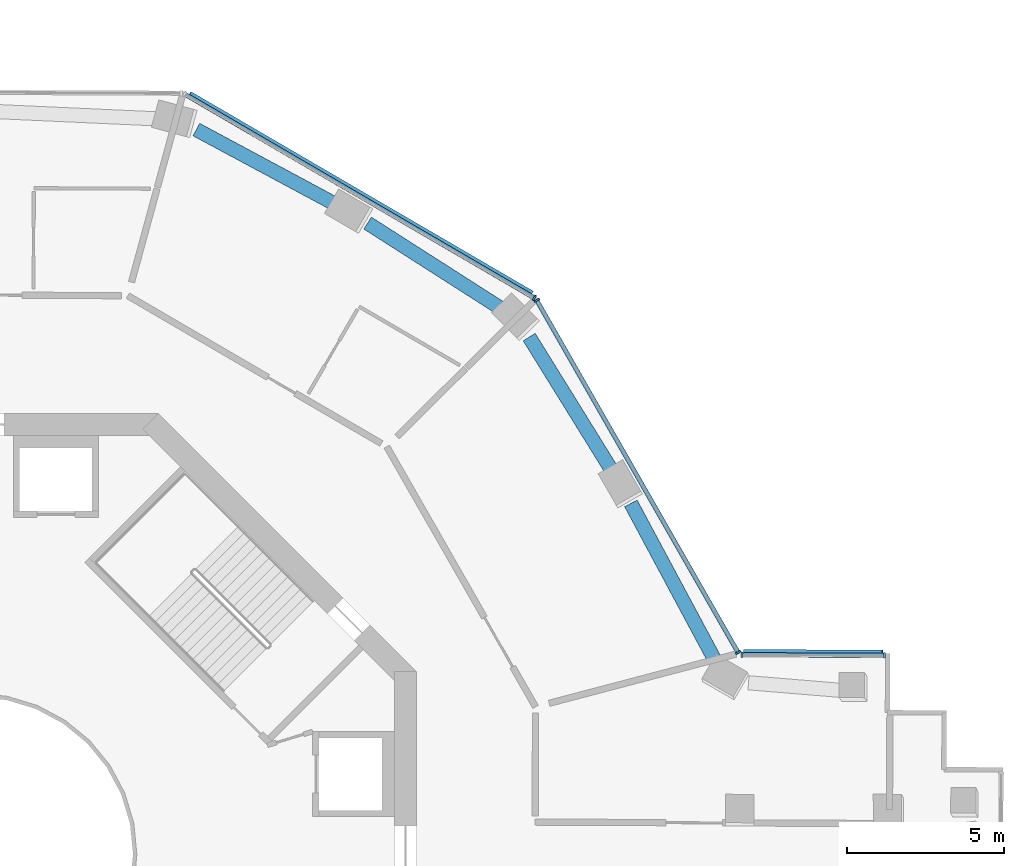
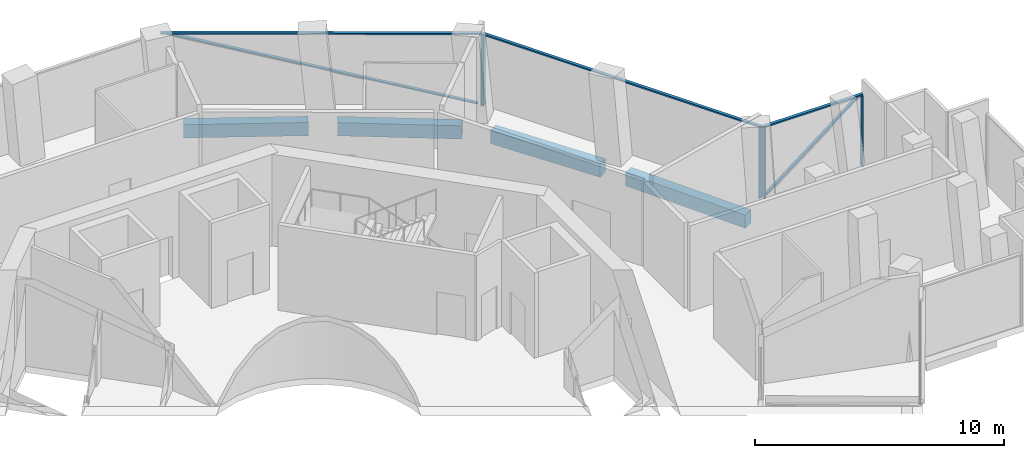
# One storey, part 6 of 16: 10 members, 4 beams, 3 elements without a shape of their own.
"""IFC4 building model written with IfcOpenShell, lengths in metres."""

from ifc_helpers import new_model, si_unit, direction, frame, origin, origin_2d, place, context, subcontext, project, spatial, rectangle, extrude, material, layer, layer_set, material_profile, profile_set, type_object, element, aggregate, save


model = new_model("IFC4")

# Units and contexts
model_context = context("Model", 3, precision=1e-05, world=origin(), true_north=direction((0.0, 1.0)))
body_context = subcontext(model_context, "Body", "Model", "MODEL_VIEW")
ifc_project = project(units=[si_unit("LENGTHUNIT", "METRE"), si_unit("AREAUNIT", "SQUARE_METRE"), si_unit("VOLUMEUNIT", "CUBIC_METRE"), si_unit("PLANEANGLEUNIT", "RADIAN"), si_unit("MASSUNIT", "GRAM", prefix="KILO")], contexts=[model_context])

# Site, building, storey
site_placement = place(None, origin())
site = spatial("IfcSite", under=ifc_project, at=site_placement, CompositionType="ELEMENT")
building_placement = place(site_placement, origin())
building = spatial("IfcBuilding", under=site, at=building_placement, Name="Verdalira Terraces Hotel", CompositionType="ELEMENT")
storey_placement = place(building_placement, frame((0.0, 0.0, 154.0)))
storey = spatial("IfcBuildingStorey", under=building, at=storey_placement, Name="L37", CompositionType="ELEMENT", Elevation=154.0)

# Curtain wall, members
ifc_material_1 = material(Name="Clear glass", Category="glass")
ifc_layer = layer(ifc_material_1, 0.179931640625)
ifc_layer_set = layer_set([ifc_layer], Name="CW4 curtain wall")
curtain_wall_type = type_object("IfcCurtainWallType", Name="CW4 curtain wall", PredefinedType="NOTDEFINED", material=ifc_layer_set)
curtain_wall_1_placement = place(storey_placement, origin())
curtain_wall_1 = element("IfcCurtainWall", 1, at=curtain_wall_1_placement, inside=storey, type_object=curtain_wall_type, Name="CW4 curtain wall L37 edge 38", PredefinedType="NOTDEFINED")
ifc_material_2 = material(Name="Terracotta frame", Category="masonry")
ifc_material_profile_1 = material_profile(ifc_material_2, rectangle(XDim=0.064941, YDim=0.179932, at=origin_2d()), Name="MU 65x180")
ifc_profile_set_1 = profile_set([ifc_material_profile_1], Name="Terracotta frame")
member_type_1 = type_object("IfcMemberType", Name="CW4 mullion 65x180", PredefinedType="MULLION", material=ifc_profile_set_1)
member_1_placement = place(storey_placement, frame((28.853271, 6.319092, 0.0), z_axis=(0.0, 0.0, 1.0), x_axis=(-0.999991227, 0.004188778, 0.0)))
member_1 = element("IfcMember", 2, at=member_1_placement, type_object=member_type_1, Name="CW4 mullion", PredefinedType="MULLION", context=body_context, shape_type="SweptSolid", body=[
    extrude(rectangle(XDim=0.064941, YDim=0.179932, at=origin_2d()), origin(), (0.0, 0.0, 1.0), 3.469971),
])
member_2_placement = place(storey_placement, frame((24.334961, 6.338135, 0.0), z_axis=(0.0, 0.0, 1.0), x_axis=(-0.999991227, 0.004188778, 0.0)))
member_2 = element("IfcMember", 3, at=member_2_placement, type_object=member_type_1, Name="CW4 mullion", PredefinedType="MULLION", context=body_context, shape_type="SweptSolid", body=[
    extrude(rectangle(XDim=0.064941, YDim=0.179932, at=origin_2d()), origin(), (0.0, 0.0, 1.0), 3.469971),
])

curtain_wall_2_placement = place(storey_placement, origin())
curtain_wall_2 = element("IfcCurtainWall", 4, at=curtain_wall_2_placement, inside=storey, type_object=curtain_wall_type, Name="CW4 curtain wall L37 edge 39", PredefinedType="NOTDEFINED")
member_3_placement = place(storey_placement, frame((24.208496, 6.411865, 0.0), z_axis=(0.0, 0.0, 1.0), x_axis=(-0.496368025, 0.868112195, 0.0)))
member_3 = element("IfcMember", 5, at=member_3_placement, type_object=member_type_1, Name="CW4 mullion", PredefinedType="MULLION", context=body_context, shape_type="SweptSolid", body=[
    extrude(rectangle(XDim=0.064941, YDim=0.179932, at=origin_2d()), origin(), (0.0, 0.0, 1.0), 3.469971),
])
member_4_placement = place(storey_placement, frame((17.81665, 17.59082, 0.0), z_axis=(0.0, 0.0, 1.0), x_axis=(-0.496368025, 0.868112195, 0.0)))
member_4 = element("IfcMember", 6, at=member_4_placement, type_object=member_type_1, Name="CW4 mullion", PredefinedType="MULLION", context=body_context, shape_type="SweptSolid", body=[
    extrude(rectangle(XDim=0.064941, YDim=0.179932, at=origin_2d()), origin(), (0.0, 0.0, 1.0), 3.469971),
])

# Curtain wall, member
curtain_wall_3_placement = place(storey_placement, origin())
curtain_wall_3 = element("IfcCurtainWall", 7, at=curtain_wall_3_placement, inside=storey, type_object=curtain_wall_type, Name="CW4 curtain wall L37 edge 40", PredefinedType="NOTDEFINED")
member_5_placement = place(storey_placement, frame((17.739502, 17.668457, 0.0), z_axis=(0.0, 0.0, 1.0), x_axis=(-0.863923417, 0.503623202, 0.0)))
member_5 = element("IfcMember", 8, at=member_5_placement, type_object=member_type_1, Name="CW4 mullion", PredefinedType="MULLION", context=body_context, shape_type="SweptSolid", body=[
    extrude(rectangle(XDim=0.064941, YDim=0.179932, at=origin_2d()), origin(), (0.0, 0.0, 1.0), 3.469971),
])

# Member
ifc_material_3 = material(Name="Terracotta frame", Category="masonry")
ifc_material_profile_2 = material_profile(ifc_material_3, rectangle(XDim=0.139893, YDim=0.070068, at=origin_2d()), Name="TR 70x140")
ifc_profile_set_2 = profile_set([ifc_material_profile_2], Name="Terracotta frame")
member_type_2 = type_object("IfcMemberType", Name="CW4 transom 70x140", PredefinedType="USERDEFINED", material=ifc_profile_set_2)
member_6_placement = place(storey_placement, frame((28.885742, 6.319092, 3.504883), z_axis=(-0.999991146, 0.004208134, 0.0), x_axis=(-0.004208134, -0.999991146, 0.0)))
member_6 = element("IfcMember", 9, at=member_6_placement, type_object=member_type_2, Name="CW4 transom", ObjectType="TRANSOM", PredefinedType="USERDEFINED", context=body_context, shape_type="SweptSolid", body=[
    extrude(rectangle(XDim=0.139893, YDim=0.070068, at=origin_2d()), origin(), (0.0, 0.0, 1.0), 4.583252),
])

member_7_placement = place(storey_placement, frame((24.224609, 6.383545, 3.504883), z_axis=(-0.496356289, 0.868118906, 0.0), x_axis=(-0.868118906, -0.496356289, 0.0)))
member_7 = element("IfcMember", 10, at=member_7_placement, type_object=member_type_2, Name="CW4 transom", ObjectType="TRANSOM", PredefinedType="USERDEFINED", context=body_context, shape_type="SweptSolid", body=[
    extrude(rectangle(XDim=0.139893, YDim=0.070068, at=origin_2d()), origin(), (0.0, 0.0, 1.0), 12.942383),
])

aggregate(curtain_wall_2, [member_3, member_4, member_7])

member_8_placement = place(storey_placement, frame((17.767578, 17.6521, 3.504883), z_axis=(-0.863925535, 0.503619569, 0.0), x_axis=(-0.503619569, -0.863925535, 0.0)))
member_8 = element("IfcMember", 11, at=member_8_placement, type_object=member_type_2, Name="CW4 transom", ObjectType="TRANSOM", PredefinedType="USERDEFINED", context=body_context, shape_type="SweptSolid", body=[
    extrude(rectangle(XDim=0.139893, YDim=0.070068, at=origin_2d()), origin(), (0.0, 0.0, 1.0), 12.919678),
])

ifc_material_4 = material(Name="Terracotta frame", Category="masonry")
ifc_material_profile_3 = material_profile(ifc_material_4, rectangle(XDim=0.149902, YDim=0.060059, at=origin_2d()), Name="GB 60x150")
ifc_profile_set_3 = profile_set([ifc_material_profile_3], Name="Terracotta frame")
member_type_3 = type_object("IfcMemberType", Name="Diagonal glazing bar 60x150", PredefinedType="USERDEFINED", material=ifc_profile_set_3)
member_9_placement = place(storey_placement, frame((28.789062, 6.412354, 3.445068), z_axis=(-0.788808889, 0.003334417, -0.614629497), x_axis=(-0.004227116, -0.999991066, 0.0)))
member_9 = element("IfcMember", 12, at=member_9_placement, type_object=member_type_3, Name="Diagonal glazing bar", ObjectType="GLAZING BAR", PredefinedType="USERDEFINED", context=body_context, shape_type="SweptSolid", body=[
    extrude(rectangle(XDim=0.149902, YDim=0.060059, at=origin_2d()), origin(), (0.0, 0.0, 1.0), 5.564697),
])

aggregate(curtain_wall_1, [member_1, member_2, member_6, member_9])

member_10_placement = place(storey_placement, frame((17.664551, 17.820068, 0.029541), z_axis=(-0.833789546, 0.48604145, 0.261837167), x_axis=(-0.503611412, -0.86393029, 0.0)))
member_10 = element("IfcMember", 13, at=member_10_placement, type_object=member_type_3, Name="Diagonal glazing bar", ObjectType="GLAZING BAR", PredefinedType="USERDEFINED", context=body_context, shape_type="SweptSolid", body=[
    extrude(rectangle(XDim=0.149902, YDim=0.060059, at=origin_2d()), origin(), (0.0, 0.0, 1.0), 13.026855),
])

aggregate(curtain_wall_3, [member_5, member_8, member_10])

# Beams
ifc_material_5 = material(Name="Concrete C50", Category="concrete")
ifc_material_profile_4 = material_profile(ifc_material_5, rectangle(XDim=0.449951, YDim=0.649902, at=origin_2d()), Name="RC 450X650")
ifc_profile_set_4 = profile_set([ifc_material_profile_4], Name="Concrete C50")
beam_type = type_object("IfcBeamType", Name="Spandrel beam RC 450X650 C50", PredefinedType="SPANDREL", material=ifc_profile_set_4)
beam_1_placement = place(storey_placement, frame((23.48291, 6.145996, -0.63501), z_axis=(-0.472397004, 0.881385881, 0.0), x_axis=(-0.881385881, -0.472397004, 0.0)))
element("IfcBeam", 14, at=beam_1_placement, inside=storey, type_object=beam_type, Name="Spandrel beam B18", PredefinedType="SPANDREL", context=body_context, shape_type="SweptSolid", body=[
    extrude(rectangle(XDim=0.449951, YDim=0.649902, at=origin_2d()), origin(), (0.0, 0.0, 1.0), 5.671387),
])
beam_2_placement = place(storey_placement, frame((20.215088, 12.163818, -0.63501), z_axis=(-0.526684914, 0.850060587, 0.0), x_axis=(-0.850060587, -0.526684914, 0.0)))
element("IfcBeam", 15, at=beam_2_placement, inside=storey, type_object=beam_type, Name="Spandrel beam B19", PredefinedType="SPANDREL", context=body_context, shape_type="SweptSolid", body=[
    extrude(rectangle(XDim=0.449951, YDim=0.649902, at=origin_2d()), origin(), (0.0, 0.0, 1.0), 5.012207),
])
beam_3_placement = place(storey_placement, frame((16.669922, 17.340576, -0.63501), z_axis=(-0.842378349, 0.538886554, 0.0), x_axis=(-0.538886554, -0.842378349, 0.0)))
element("IfcBeam", 16, at=beam_3_placement, inside=storey, type_object=beam_type, Name="Spandrel beam B20", PredefinedType="SPANDREL", context=body_context, shape_type="SweptSolid", body=[
    extrude(rectangle(XDim=0.449951, YDim=0.649902, at=origin_2d()), origin(), (0.0, 0.0, 1.0), 5.015625),
])
beam_4_placement = place(storey_placement, frame((11.424805, 20.641602, -0.63501), z_axis=(-0.881136509, 0.472861981, 0.0), x_axis=(-0.472861981, -0.881136509, 0.0)))
element("IfcBeam", 17, at=beam_4_placement, inside=storey, type_object=beam_type, Name="Spandrel beam B21", PredefinedType="SPANDREL", context=body_context, shape_type="SweptSolid", body=[
    extrude(rectangle(XDim=0.449951, YDim=0.649902, at=origin_2d()), origin(), (0.0, 0.0, 1.0), 5.012207),
])

save(model, "model.ifc")
